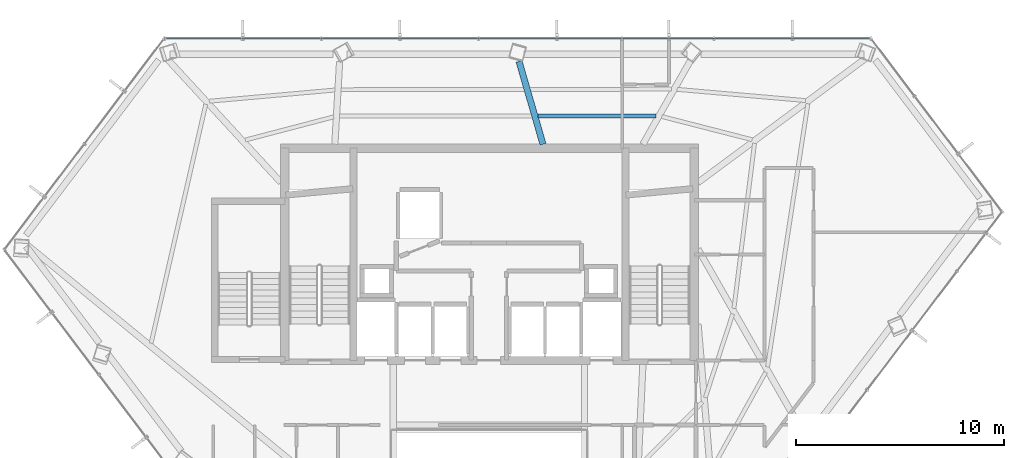
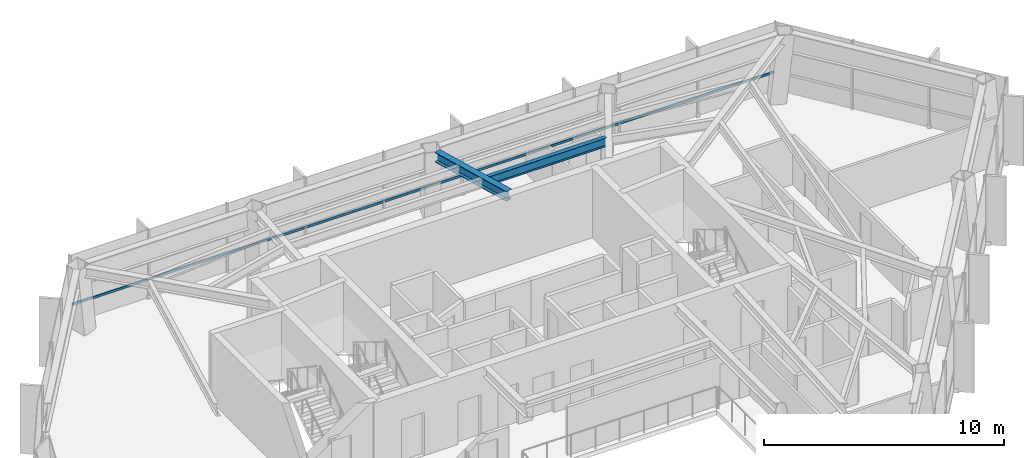
# One storey, part 14 of 27: 2 beams, 1 member, 1 element without a shape of its own.
"""IFC4 building model written with IfcOpenShell, lengths in metres."""

from ifc_helpers import new_model, si_unit, direction, frame, origin, origin_2d, place, context, subcontext, project, spatial, hollow_rectangle, i_section, extrude, material, layer, layer_set, material_profile, profile_set, type_object, element, aggregate, save


model = new_model("IFC4")

# Units and contexts
model_context = context("Model", 3, precision=1e-05, world=origin(), true_north=direction((0.0, 1.0)))
body_context = subcontext(model_context, "Body", "Model", "MODEL_VIEW")
ifc_project = project(units=[si_unit("LENGTHUNIT", "METRE"), si_unit("AREAUNIT", "SQUARE_METRE"), si_unit("VOLUMEUNIT", "CUBIC_METRE"), si_unit("PLANEANGLEUNIT", "RADIAN"), si_unit("MASSUNIT", "GRAM", prefix="KILO")], contexts=[model_context])

# Site, building, storey
site_placement = place(None, origin())
site = spatial("IfcSite", under=ifc_project, at=site_placement, CompositionType="ELEMENT")
building_placement = place(site_placement, origin())
building = spatial("IfcBuilding", under=site, at=building_placement, Name="Zarrinselat Tower", CompositionType="ELEMENT")
storey_placement = place(building_placement, frame((0.0, 0.0, 183.260009765625)))
storey = spatial("IfcBuildingStorey", under=building, at=storey_placement, Name="L45", CompositionType="ELEMENT", Elevation=183.260009765625)

# Beams
ifc_material_1 = material(Name="Steel S355J2", Category="steel")
ifc_material_profile_1 = material_profile(ifc_material_1, i_section(OverallWidth=0.300048828125, OverallDepth=0.5, WebThickness=0.014404296875, FlangeThickness=0.028076171875, at=origin_2d()), Name="HEB 500")
ifc_profile_set_1 = profile_set([ifc_material_profile_1], Name="Steel S355J2")
beam_type_1 = type_object("IfcBeamType", Name="BM-HEB500", PredefinedType="BEAM", material=ifc_profile_set_1)
beam_1_placement = place(storey_placement, frame((39.85009765625, 47.617431640625, 3.25), z_axis=(0.277725895804, -0.960660359753, 0.0), x_axis=(0.960660359753, 0.277725895804, 0.0)))
element("IfcBeam", 1, at=beam_1_placement, inside=storey, type_object=beam_type_1, Name="L45 Radial Primary Girder RG03", PredefinedType="BEAM", context=body_context, shape_type="SweptSolid", body=[
    extrude(i_section(OverallWidth=0.300048828125, OverallDepth=0.5, WebThickness=0.014404296875, FlangeThickness=0.028076171875, at=origin_2d()), origin(), (0.0, 0.0, 1.0), 4.140380859375),
])
ifc_material_2 = material(Name="Steel S355J2", Category="steel")
ifc_material_profile_2 = material_profile(ifc_material_2, i_section(OverallWidth=0.18994140625, OverallDepth=0.449951171875, WebThickness=0.009521484375, FlangeThickness=0.0146484375, at=origin_2d()), Name="IPE 450")
ifc_profile_set_2 = profile_set([ifc_material_profile_2], Name="Steel S355J2")
beam_type_2 = type_object("IfcBeamType", Name="BM-IPE450", PredefinedType="JOIST", material=ifc_profile_set_2)
beam_2_placement = place(storey_placement, frame((40.7490234375, 44.99267578125, 3.27490234375), z_axis=(0.999998374389, 0.001803113885, 0.0), x_axis=(-0.001803113885, 0.999998374389, 0.0)))
element("IfcBeam", 2, at=beam_2_placement, inside=storey, type_object=beam_type_2, Name="L45 Composite Floor Joist 7-2", PredefinedType="JOIST", context=body_context, shape_type="SweptSolid", body=[
    extrude(i_section(OverallWidth=0.18994140625, OverallDepth=0.449951171875, WebThickness=0.009521484375, FlangeThickness=0.0146484375, at=origin_2d()), origin(), (0.0, 0.0, 1.0), 5.686767578125),
])

# Curtain wall, member
ifc_material_3 = material(Name="Extruded Aluminium Alloy EN AW-6063 T6", Category="aluminium")
ifc_layer = layer(ifc_material_3, 0.175048828125)
ifc_layer_set = layer_set([ifc_layer], Name="Extruded Aluminium Alloy EN AW-6063 T6")
curtain_wall_type = type_object("IfcCurtainWallType", Name="CWS-HTL", PredefinedType="NOTDEFINED", material=ifc_layer_set)
curtain_wall_placement = place(storey_placement, origin())
curtain_wall = element("IfcCurtainWall", 3, at=curtain_wall_placement, inside=storey, type_object=curtain_wall_type, Name="L45 Unitised Curtain Wall CW-L45-E01", PredefinedType="NOTDEFINED")
ifc_material_4 = material(Name="Extruded Aluminium Alloy EN AW-6063 T6", Category="aluminium")
ifc_material_profile_3 = material_profile(ifc_material_4, hollow_rectangle(XDim=0.06005859375, YDim=0.1201171875, WallThickness=0.00390625, at=origin_2d()), Name="RHS 120x60x4")
ifc_profile_set_3 = profile_set([ifc_material_profile_3], Name="Extruded Aluminium Alloy EN AW-6063 T6")
member_type = type_object("IfcMemberType", Name="MEM-CW-TRN2", PredefinedType="USERDEFINED", material=ifc_profile_set_3)
member_placement = place(storey_placement, frame((56.668701171875, 48.72216796875, 0.949951171875), z_axis=(-1.0, 0.0, 0.0), x_axis=(0.0, -1.0, 0.0)))
member = element("IfcMember", 4, at=member_placement, type_object=member_type, Name="CW-L45-E01 Transom 1", ObjectType="TRANSOM", PredefinedType="USERDEFINED", context=body_context, shape_type="SweptSolid", body=[
    extrude(hollow_rectangle(XDim=0.06005859375, YDim=0.1201171875, WallThickness=0.00390625, at=origin_2d()), origin(), (0.0, 0.0, 1.0), 33.768798828125),
])
aggregate(curtain_wall, [member])

save(model, "model.ifc")
